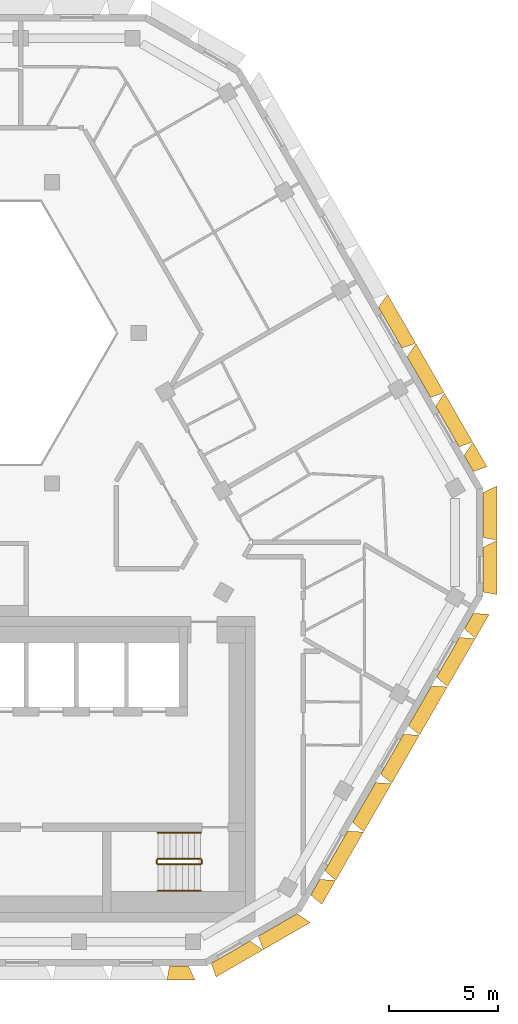
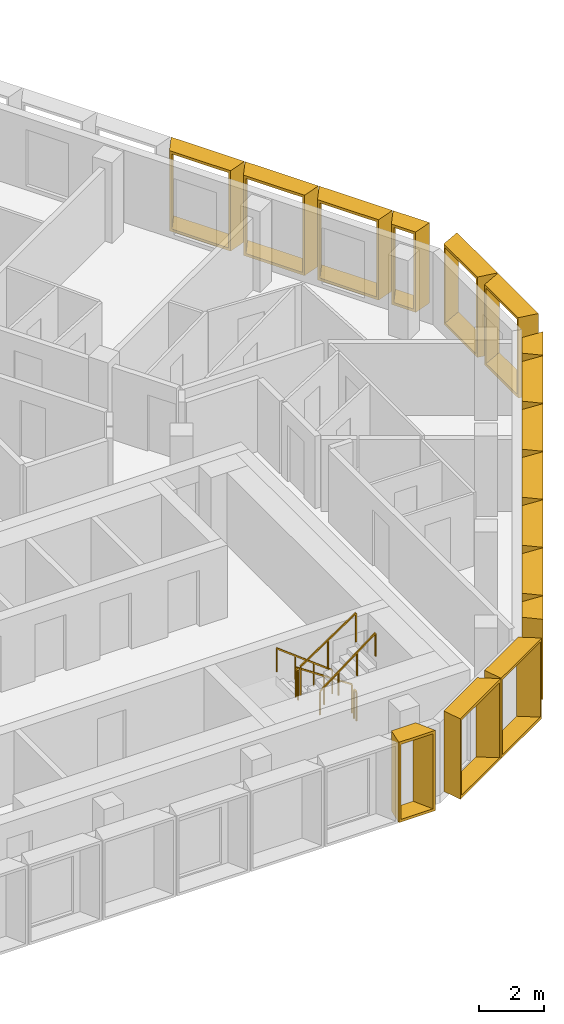
# One storey, part 14 of 15: 16 shading devices, 6 railings.
"""IFC4 building model written with IfcOpenShell, lengths in metres."""

from ifc_helpers import new_model, entity, si_unit, direction, frame, origin, origin_2d, place, context, subcontext, project, spatial, rectangle, extrude, source, transform, mapped, material, type_object, type_shapes, element, save


model = new_model("IFC4")

# Units and contexts
model_context = context("Model", 3, precision=1e-05, world=origin(), true_north=direction((0.0, 1.0)))
body_context = subcontext(model_context, "Body", "Model", "MODEL_VIEW")
ifc_project = project(units=[si_unit("LENGTHUNIT", "METRE"), si_unit("AREAUNIT", "SQUARE_METRE"), si_unit("VOLUMEUNIT", "CUBIC_METRE"), si_unit("PLANEANGLEUNIT", "RADIAN"), si_unit("MASSUNIT", "GRAM", prefix="KILO")], contexts=[model_context])

# Site, building, storey
site_placement = place(None, origin())
site = spatial("IfcSite", under=ifc_project, at=site_placement, CompositionType="ELEMENT")
building_placement = place(site_placement, origin())
building = spatial("IfcBuilding", under=site, at=building_placement, Name="Beryl Residences", CompositionType="ELEMENT")
storey_placement = place(building_placement, frame((0.0, 0.0, 211.800048828125)))
storey = spatial("IfcBuildingStorey", under=building, at=storey_placement, Name="L65", CompositionType="ELEMENT", Elevation=211.800048828125)

# Shading devices
ifc_material_1 = material(Name="Aluminium pale anodised", Category="aluminium")
shading_device_type_1 = type_object("IfcShadingDeviceType", Name="FR128-65C OUTER SKIN frame 650 mm deep, splay 10/26 deg, 1280 x 3000 mm cell", PredefinedType="USERDEFINED", material=ifc_material_1)
cartesian_point_1 = entity("IfcCartesianPoint", [-0.4140625, 0.0])
cartesian_point_2 = entity("IfcCartesianPoint", [-0.332763671875, 0.10009765625])
cartesian_point_3 = entity("IfcCartesianPoint", [-0.528564453125, 0.0])
cartesian_point_4 = entity("IfcCartesianPoint", [-0.447265625, 0.10009765625])
shared_shape_1 = source(origin(), body_context, "Body", "SweptSolid", [
    entity("IfcExtrudedAreaSolidTapered", entity("IfcArbitraryProfileDefWithVoids", "AREA", None, entity("IfcPolyline", [cartesian_point_1, entity("IfcCartesianPoint", [0.4140625, 0.0]), entity("IfcCartesianPoint", [0.4140625, 3.0]), entity("IfcCartesianPoint", [-0.4140625, 3.0]), cartesian_point_1]), [entity("IfcPolyline", [cartesian_point_2, entity("IfcCartesianPoint", [0.324951171875, 0.10009765625]), entity("IfcCartesianPoint", [0.324951171875, 2.89990234375]), entity("IfcCartesianPoint", [-0.332763671875, 2.89990234375]), cartesian_point_2])]), entity("IfcAxis2Placement3D", entity("IfcCartesianPoint", [0.0, 0.0, 0.0]), entity("IfcDirection", [0.0, 1.0, 0.0]), entity("IfcDirection", [-1.0, 0.0, 0.0])), entity("IfcDirection", [0.0, 0.0, 1.0]), 0.64990234375, entity("IfcArbitraryProfileDefWithVoids", "AREA", None, entity("IfcPolyline", [cartesian_point_3, entity("IfcCartesianPoint", [0.73095703125, 0.0]), entity("IfcCartesianPoint", [0.73095703125, 3.0]), entity("IfcCartesianPoint", [-0.528564453125, 3.0]), cartesian_point_3]), [entity("IfcPolyline", [cartesian_point_4, entity("IfcCartesianPoint", [0.64208984375, 0.10009765625]), entity("IfcCartesianPoint", [0.64208984375, 2.89990234375]), entity("IfcCartesianPoint", [-0.447265625, 2.89990234375]), cartesian_point_4])])),
])
type_shapes(shading_device_type_1, [shared_shape_1])
for number, where, z_axis, x_axis, name in (
    (1, (16.052978515625, -17.39599609375, 0.0), (0.0, 0.0, 1.0), (-0.5, -0.866025403784, 0.0), "FR128-65C frame L65 SE 1"),
    (2, (23.091064453125, -5.205078125, 0.0), (0.0, 0.0, 1.0), (-0.5, -0.866025403784, 0.0), "FR128-65C frame L65 SE 7"),
):
    element("IfcShadingDevice", number, at=place(storey_placement, frame(where, z_axis=z_axis, x_axis=x_axis)), inside=storey, type_object=shading_device_type_1, Name=name, ObjectType="OUTER SKIN", PredefinedType="USERDEFINED", context=body_context, shape_type="MappedRepresentation", body=[
        mapped(shared_shape_1, transform((0.0, 0.0, 0.0))),
    ])
ifc_material_2 = material(Name="Aluminium pale anodised", Category="aluminium")
shading_device_type_2 = type_object("IfcShadingDeviceType", Name="FR131-65C OUTER SKIN frame 650 mm deep, splay 10/26 deg, 1310 x 3000 mm cell", PredefinedType="USERDEFINED", material=ifc_material_2)
cartesian_point_5 = entity("IfcCartesianPoint", [-0.428955078125, 0.0])
cartesian_point_6 = entity("IfcCartesianPoint", [-0.34765625, 0.10009765625])
cartesian_point_7 = entity("IfcCartesianPoint", [-0.543701171875, 0.0])
cartesian_point_8 = entity("IfcCartesianPoint", [-0.46240234375, 0.10009765625])
shared_shape_2 = source(origin(), body_context, "Body", "SweptSolid", [
    entity("IfcExtrudedAreaSolidTapered", entity("IfcArbitraryProfileDefWithVoids", "AREA", None, entity("IfcPolyline", [cartesian_point_5, entity("IfcCartesianPoint", [0.428955078125, 0.0]), entity("IfcCartesianPoint", [0.428955078125, 3.0]), entity("IfcCartesianPoint", [-0.428955078125, 3.0]), cartesian_point_5]), [entity("IfcPolyline", [cartesian_point_6, entity("IfcCartesianPoint", [0.340087890625, 0.10009765625]), entity("IfcCartesianPoint", [0.340087890625, 2.89990234375]), entity("IfcCartesianPoint", [-0.34765625, 2.89990234375]), cartesian_point_6])]), entity("IfcAxis2Placement3D", entity("IfcCartesianPoint", [0.0, 0.0, 0.0]), entity("IfcDirection", [0.0, 1.0, 0.0]), entity("IfcDirection", [-1.0, 0.0, 0.0])), entity("IfcDirection", [0.0, 0.0, 1.0]), 0.64990234375, entity("IfcArbitraryProfileDefWithVoids", "AREA", None, entity("IfcPolyline", [cartesian_point_7, entity("IfcCartesianPoint", [0.74609375, 0.0]), entity("IfcCartesianPoint", [0.74609375, 3.0]), entity("IfcCartesianPoint", [-0.543701171875, 3.0]), cartesian_point_7]), [entity("IfcPolyline", [cartesian_point_8, entity("IfcCartesianPoint", [0.656982421875, 0.10009765625]), entity("IfcCartesianPoint", [0.656982421875, 2.89990234375]), entity("IfcCartesianPoint", [-0.46240234375, 2.89990234375]), cartesian_point_8])])),
])
type_shapes(shading_device_type_2, [shared_shape_2])
for number, where, z_axis, x_axis, name in (
    (3, (9.797119140625, -21.0, 0.0), (0.0, 0.0, 1.0), (-1.0, 0.0, 0.0), "FR131-65C frame L65 S 9"),
    (4, (23.083984375, 2.01611328125, 0.0), (0.0, 0.0, 1.0), (0.5, -0.866025403784, 0.0), "FR131-65C frame L65 NE 1"),
):
    element("IfcShadingDevice", number, at=place(storey_placement, frame(where, z_axis=z_axis, x_axis=x_axis)), inside=storey, type_object=shading_device_type_2, Name=name, ObjectType="OUTER SKIN", PredefinedType="USERDEFINED", context=body_context, shape_type="MappedRepresentation", body=[
        mapped(shared_shape_2, transform((0.0, 0.0, 0.0))),
    ])
ifc_material_3 = material(Name="Aluminium pale anodised", Category="aluminium")
shading_device_type_3 = type_object("IfcShadingDeviceType", Name="FR250-65C OUTER SKIN frame 650 mm deep, splay 10/26 deg, 2500 x 3000 mm cell", PredefinedType="USERDEFINED", material=ifc_material_3)
cartesian_point_9 = entity("IfcCartesianPoint", [-1.02392578125, 0.0])
cartesian_point_10 = entity("IfcCartesianPoint", [-0.94287109375, 0.10009765625])
cartesian_point_11 = entity("IfcCartesianPoint", [-1.138671875, 0.0])
cartesian_point_12 = entity("IfcCartesianPoint", [-1.057373046875, 0.10009765625])
shared_shape_3 = source(origin(), body_context, "Body", "SweptSolid", [
    entity("IfcExtrudedAreaSolidTapered", entity("IfcArbitraryProfileDefWithVoids", "AREA", None, entity("IfcPolyline", [cartesian_point_9, entity("IfcCartesianPoint", [1.02392578125, 0.0]), entity("IfcCartesianPoint", [1.02392578125, 3.0]), entity("IfcCartesianPoint", [-1.02392578125, 3.0]), cartesian_point_9]), [entity("IfcPolyline", [cartesian_point_10, entity("IfcCartesianPoint", [0.93505859375, 0.10009765625]), entity("IfcCartesianPoint", [0.93505859375, 2.89990234375]), entity("IfcCartesianPoint", [-0.94287109375, 2.89990234375]), cartesian_point_10])]), entity("IfcAxis2Placement3D", entity("IfcCartesianPoint", [0.0, 0.0, 0.0]), entity("IfcDirection", [0.0, 1.0, 0.0]), entity("IfcDirection", [-1.0, 0.0, 0.0])), entity("IfcDirection", [0.0, 0.0, 1.0]), 0.64990234375, entity("IfcArbitraryProfileDefWithVoids", "AREA", None, entity("IfcPolyline", [cartesian_point_11, entity("IfcCartesianPoint", [1.341064453125, 0.0]), entity("IfcCartesianPoint", [1.341064453125, 3.0]), entity("IfcCartesianPoint", [-1.138671875, 3.0]), cartesian_point_11]), [entity("IfcPolyline", [cartesian_point_12, entity("IfcCartesianPoint", [1.251953125, 0.10009765625]), entity("IfcCartesianPoint", [1.251953125, 2.89990234375]), entity("IfcCartesianPoint", [-1.057373046875, 2.89990234375]), cartesian_point_12])])),
])
type_shapes(shading_device_type_3, [shared_shape_3])
for number, where, z_axis, x_axis, name in (
    (5, (12.16796875, -20.375, 0.0), (0.0, 0.0, 1.0), (-0.866025403784, -0.5, 0.0), "FR250-65C frame L65 S-SE 1"),
    (6, (14.33203125, -19.125, 0.0), (0.0, 0.0, 1.0), (-0.866025403784, -0.5, 0.0), "FR250-65C frame L65 S-SE 2"),
    (7, (23.72900390625, -2.85009765625, 0.0), (0.0, 0.0, 1.0), (0.0, -1.0, 0.0), "FR250-65C frame L65 SE-NE 1"),
    (8, (23.72900390625, -0.35009765625, 0.0), (0.0, 0.0, 1.0), (0.0, -1.0, 0.0), "FR250-65C frame L65 SE-NE 2"),
):
    element("IfcShadingDevice", number, at=place(storey_placement, frame(where, z_axis=z_axis, x_axis=x_axis)), inside=storey, type_object=shading_device_type_3, Name=name, ObjectType="OUTER SKIN", PredefinedType="USERDEFINED", context=body_context, shape_type="MappedRepresentation", body=[
        mapped(shared_shape_3, transform((0.0, 0.0, 0.0))),
    ])
ifc_material_4 = material(Name="Aluminium pale anodised", Category="aluminium")
shading_device_type_4 = type_object("IfcShadingDeviceType", Name="FR256-65C OUTER SKIN frame 650 mm deep, splay 10/26 deg, 2560 x 3000 mm cell", PredefinedType="USERDEFINED", material=ifc_material_4)
cartesian_point_13 = entity("IfcCartesianPoint", [-1.053955078125, 0.0])
cartesian_point_14 = entity("IfcCartesianPoint", [-0.97265625, 0.10009765625])
cartesian_point_15 = entity("IfcCartesianPoint", [-1.168701171875, 0.0])
cartesian_point_16 = entity("IfcCartesianPoint", [-1.08740234375, 0.10009765625])
shared_shape_4 = source(origin(), body_context, "Body", "SweptSolid", [
    entity("IfcExtrudedAreaSolidTapered", entity("IfcArbitraryProfileDefWithVoids", "AREA", None, entity("IfcPolyline", [cartesian_point_13, entity("IfcCartesianPoint", [1.053955078125, 0.0]), entity("IfcCartesianPoint", [1.053955078125, 3.0]), entity("IfcCartesianPoint", [-1.053955078125, 3.0]), cartesian_point_13]), [entity("IfcPolyline", [cartesian_point_14, entity("IfcCartesianPoint", [0.965087890625, 0.10009765625]), entity("IfcCartesianPoint", [0.965087890625, 2.89990234375]), entity("IfcCartesianPoint", [-0.97265625, 2.89990234375]), cartesian_point_14])]), entity("IfcAxis2Placement3D", entity("IfcCartesianPoint", [0.0, 0.0, 0.0]), entity("IfcDirection", [0.0, 1.0, 0.0]), entity("IfcDirection", [-1.0, 0.0, 0.0])), entity("IfcDirection", [0.0, 0.0, 1.0]), 0.64990234375, entity("IfcArbitraryProfileDefWithVoids", "AREA", None, entity("IfcPolyline", [cartesian_point_15, entity("IfcCartesianPoint", [1.37109375, 0.0]), entity("IfcCartesianPoint", [1.37109375, 3.0]), entity("IfcCartesianPoint", [-1.168701171875, 3.0]), cartesian_point_15]), [entity("IfcPolyline", [cartesian_point_16, entity("IfcCartesianPoint", [1.281982421875, 0.10009765625]), entity("IfcCartesianPoint", [1.281982421875, 2.89990234375]), entity("IfcCartesianPoint", [-1.08740234375, 2.89990234375]), cartesian_point_16])])),
])
type_shapes(shading_device_type_4, [shared_shape_4])
for number, where, z_axis, x_axis, name in (
    (9, (17.011962890625, -15.73388671875, 0.0), (0.0, 0.0, 1.0), (-0.5, -0.866025403784, 0.0), "FR256-65C frame L65 SE 2"),
    (10, (18.2919921875, -13.51708984375, 0.0), (0.0, 0.0, 1.0), (-0.5, -0.866025403784, 0.0), "FR256-65C frame L65 SE 3"),
    (11, (19.572021484375, -11.300048828125, 0.0), (0.0, 0.0, 1.0), (-0.5, -0.866025403784, 0.0), "FR256-65C frame L65 SE 4"),
    (12, (20.85107421875, -9.083984375, 0.0), (0.0, 0.0, 1.0), (-0.5, -0.866025403784, 0.0), "FR256-65C frame L65 SE 5"),
    (13, (22.131103515625, -6.866943359375, 0.0), (0.0, 0.0, 1.0), (-0.5, -0.866025403784, 0.0), "FR256-65C frame L65 SE 6"),
):
    element("IfcShadingDevice", number, at=place(storey_placement, frame(where, z_axis=z_axis, x_axis=x_axis)), inside=storey, type_object=shading_device_type_4, Name=name, ObjectType="OUTER SKIN", PredefinedType="USERDEFINED", context=body_context, shape_type="MappedRepresentation", body=[
        mapped(shared_shape_4, transform((0.0, 0.0, 0.0))),
    ])
ifc_material_5 = material(Name="Aluminium pale anodised", Category="aluminium")
shading_device_type_5 = type_object("IfcShadingDeviceType", Name="FR261-65C OUTER SKIN frame 650 mm deep, splay 10/26 deg, 2610 x 3000 mm cell", PredefinedType="USERDEFINED", material=ifc_material_5)
cartesian_point_17 = entity("IfcCartesianPoint", [-1.0791015625, 0.0])
cartesian_point_18 = entity("IfcCartesianPoint", [-0.997802734375, 0.10009765625])
cartesian_point_19 = entity("IfcCartesianPoint", [-1.193603515625, 0.0])
cartesian_point_20 = entity("IfcCartesianPoint", [-1.1123046875, 0.10009765625])
shared_shape_5 = source(origin(), body_context, "Body", "SweptSolid", [
    entity("IfcExtrudedAreaSolidTapered", entity("IfcArbitraryProfileDefWithVoids", "AREA", None, entity("IfcPolyline", [cartesian_point_17, entity("IfcCartesianPoint", [1.0791015625, 0.0]), entity("IfcCartesianPoint", [1.0791015625, 3.0]), entity("IfcCartesianPoint", [-1.0791015625, 3.0]), cartesian_point_17]), [entity("IfcPolyline", [cartesian_point_18, entity("IfcCartesianPoint", [0.989990234375, 0.10009765625]), entity("IfcCartesianPoint", [0.989990234375, 2.89990234375]), entity("IfcCartesianPoint", [-0.997802734375, 2.89990234375]), cartesian_point_18])]), entity("IfcAxis2Placement3D", entity("IfcCartesianPoint", [0.0, 0.0, 0.0]), entity("IfcDirection", [0.0, 1.0, 0.0]), entity("IfcDirection", [-1.0, 0.0, 0.0])), entity("IfcDirection", [0.0, 0.0, 1.0]), 0.64990234375, entity("IfcArbitraryProfileDefWithVoids", "AREA", None, entity("IfcPolyline", [cartesian_point_19, entity("IfcCartesianPoint", [1.39599609375, 0.0]), entity("IfcCartesianPoint", [1.39599609375, 3.0]), entity("IfcCartesianPoint", [-1.193603515625, 3.0]), cartesian_point_19]), [entity("IfcPolyline", [cartesian_point_20, entity("IfcCartesianPoint", [1.30712890625, 0.10009765625]), entity("IfcCartesianPoint", [1.30712890625, 2.89990234375]), entity("IfcCartesianPoint", [-1.1123046875, 2.89990234375]), cartesian_point_20])])),
])
type_shapes(shading_device_type_5, [shared_shape_5])
for number, where, z_axis, x_axis, name in (
    (14, (22.10498046875, 3.7119140625, 0.0), (0.0, 0.0, 1.0), (0.5, -0.866025403784, 0.0), "FR261-65C frame L65 NE 2"),
    (15, (20.798095703125, 5.97509765625, 0.0), (0.0, 0.0, 1.0), (0.5, -0.866025403784, 0.0), "FR261-65C frame L65 NE 3"),
    (16, (19.491943359375, 8.237060546875, 0.0), (0.0, 0.0, 1.0), (0.5, -0.866025403784, 0.0), "FR261-65C frame L65 NE 4"),
):
    element("IfcShadingDevice", number, at=place(storey_placement, frame(where, z_axis=z_axis, x_axis=x_axis)), inside=storey, type_object=shading_device_type_5, Name=name, ObjectType="OUTER SKIN", PredefinedType="USERDEFINED", context=body_context, shape_type="MappedRepresentation", body=[
        mapped(shared_shape_5, transform((0.0, 0.0, 0.0))),
    ])

# Railings
ifc_material_6 = material(Name="Stainless steel balustrade with glass infill", Category="steel")
railing_type_1 = type_object("IfcRailingType", Name="SG1 stair guard 1100 mm", PredefinedType="GUARDRAIL", material=ifc_material_6)
railing_1_placement = place(storey_placement, frame((10.800048828125, -16.10009765625, 0.1875)))
element("IfcRailing", 17, at=railing_1_placement, inside=storey, type_object=railing_type_1, Name="L65 ST-3 stair guard 1", PredefinedType="GUARDRAIL", context=body_context, shape_type="SweptSolid", body=[
    extrude(rectangle(XDim=0.048095703125, YDim=0.048095703125, at=origin_2d()), frame((0.0, 0.0, 1.076171875), z_axis=(-0.830902050051, 0.0, 0.556418712142), x_axis=(0.0, -1.0, 0.0)), (0.0, 0.0, 1.0), 2.35888671875),
    extrude(rectangle(XDim=0.0419921875, YDim=0.0419921875, at=origin_2d()), origin(), (0.0, 0.0, 1.0), 1.052001953125),
    extrude(rectangle(XDim=0.0419921875, YDim=0.0419921875, at=origin_2d()), frame((-0.97998046875, 0.0, 0.65625)), (0.0, 0.0, 1.0), 1.052001953125),
    extrude(rectangle(XDim=0.0419921875, YDim=0.0419921875, at=origin_2d()), frame((-1.9599609375, 0.0, 1.3125)), (0.0, 0.0, 1.0), 1.052001953125),
])
railing_2_placement = place(storey_placement, frame((8.7900390625, -16.14990234375, 1.5)))
element("IfcRailing", 18, at=railing_2_placement, inside=storey, type_object=railing_type_1, Name="L65 ST-3 stair guard 2", PredefinedType="GUARDRAIL", context=body_context, shape_type="SweptSolid", body=[
    extrude(rectangle(XDim=0.048095703125, YDim=0.048095703125, at=origin_2d()), frame((0.0, 0.0, 1.076171875), z_axis=(0.0, -1.0, 0.0), x_axis=(1.0, 0.0, 0.0)), (0.0, 0.0, 1.0), 0.150146484375),
    extrude(rectangle(XDim=0.0419921875, YDim=0.0419921875, at=origin_2d()), origin(), (0.0, 0.0, 1.0), 1.052001953125),
    extrude(rectangle(XDim=0.0419921875, YDim=0.0419921875, at=origin_2d()), frame((0.0, -0.150146484375, 0.0)), (0.0, 0.0, 1.0), 1.052001953125),
])
railing_3_placement = place(storey_placement, frame((8.840087890625, -16.35009765625, 1.6875)))
element("IfcRailing", 19, at=railing_3_placement, inside=storey, type_object=railing_type_1, Name="L65 ST-3 stair guard 3", PredefinedType="GUARDRAIL", context=body_context, shape_type="SweptSolid", body=[
    extrude(rectangle(XDim=0.048095703125, YDim=0.048095703125, at=origin_2d()), frame((0.0, 0.0, 1.076171875), z_axis=(0.830902050051, 0.0, 0.556418712142), x_axis=(0.0, 1.0, 0.0)), (0.0, 0.0, 1.0), 2.35888671875),
    extrude(rectangle(XDim=0.0419921875, YDim=0.0419921875, at=origin_2d()), origin(), (0.0, 0.0, 1.0), 1.052001953125),
    extrude(rectangle(XDim=0.0419921875, YDim=0.0419921875, at=origin_2d()), frame((0.97998046875, 0.0, 0.65625)), (0.0, 0.0, 1.0), 1.052001953125),
    extrude(rectangle(XDim=0.0419921875, YDim=0.0419921875, at=origin_2d()), frame((1.9599609375, 0.0, 1.3125)), (0.0, 0.0, 1.0), 1.052001953125),
])
railing_4_placement = place(storey_placement, frame((10.85009765625, -16.14990234375, 0.0)))
element("IfcRailing", 20, at=railing_4_placement, inside=storey, type_object=railing_type_1, Name="L65 ST-3 stair guard 4", PredefinedType="GUARDRAIL", context=body_context, shape_type="SweptSolid", body=[
    extrude(rectangle(XDim=0.048095703125, YDim=0.048095703125, at=origin_2d()), frame((0.0, 0.0, 1.076171875), z_axis=(0.0, -1.0, 0.0), x_axis=(1.0, 0.0, 0.0)), (0.0, 0.0, 1.0), 0.150146484375),
    extrude(rectangle(XDim=0.0419921875, YDim=0.0419921875, at=origin_2d()), origin(), (0.0, 0.0, 1.0), 1.052001953125),
    extrude(rectangle(XDim=0.0419921875, YDim=0.0419921875, at=origin_2d()), frame((0.0, -0.150146484375, 0.0)), (0.0, 0.0, 1.0), 1.052001953125),
])
ifc_material_7 = material(Name="Stainless steel handrail", Category="steel")
railing_type_2 = type_object("IfcRailingType", Name="SRL1 stair handrail 900 mm", PredefinedType="HANDRAIL", material=ifc_material_7)
railing_5_placement = place(storey_placement, frame((10.800048828125, -14.89990234375, 0.1875)))
element("IfcRailing", 21, at=railing_5_placement, inside=storey, type_object=railing_type_2, Name="L65 ST-3 stair handrail 1", PredefinedType="HANDRAIL", context=body_context, shape_type="SweptSolid", body=[
    extrude(rectangle(XDim=0.048095703125, YDim=0.048095703125, at=origin_2d()), frame((0.0, 0.0, 0.8759765625), z_axis=(-0.794121922505, 0.0, 0.607758481798), x_axis=(0.0, -1.0, 0.0)), (0.0, 0.0, 1.0), 2.468017578125),
    extrude(rectangle(XDim=0.0419921875, YDim=0.0419921875, at=origin_2d()), origin(), (0.0, 0.0, 1.0), 0.851806640625),
    extrude(rectangle(XDim=0.0419921875, YDim=0.0419921875, at=origin_2d()), frame((-0.6533203125, 0.0, 0.5)), (0.0, 0.0, 1.0), 0.851806640625),
    extrude(rectangle(XDim=0.0419921875, YDim=0.0419921875, at=origin_2d()), frame((-1.306640625, 0.0, 1.0)), (0.0, 0.0, 1.0), 0.851806640625),
    extrude(rectangle(XDim=0.0419921875, YDim=0.0419921875, at=origin_2d()), frame((-1.9599609375, 0.0, 1.5)), (0.0, 0.0, 1.0), 0.851806640625),
])
railing_6_placement = place(storey_placement, frame((8.840087890625, -17.550048828125, 1.6875)))
element("IfcRailing", 22, at=railing_6_placement, inside=storey, type_object=railing_type_2, Name="L65 ST-3 stair handrail 2", PredefinedType="HANDRAIL", context=body_context, shape_type="SweptSolid", body=[
    extrude(rectangle(XDim=0.048095703125, YDim=0.048095703125, at=origin_2d()), frame((0.0, 0.0, 0.8759765625), z_axis=(0.794121922505, 0.0, 0.607758481798), x_axis=(0.0, 1.0, 0.0)), (0.0, 0.0, 1.0), 2.468017578125),
    extrude(rectangle(XDim=0.0419921875, YDim=0.0419921875, at=origin_2d()), origin(), (0.0, 0.0, 1.0), 0.851806640625),
    extrude(rectangle(XDim=0.0419921875, YDim=0.0419921875, at=origin_2d()), frame((0.6533203125, 0.0, 0.5)), (0.0, 0.0, 1.0), 0.851806640625),
    extrude(rectangle(XDim=0.0419921875, YDim=0.0419921875, at=origin_2d()), frame((1.306640625, 0.0, 1.0)), (0.0, 0.0, 1.0), 0.851806640625),
    extrude(rectangle(XDim=0.0419921875, YDim=0.0419921875, at=origin_2d()), frame((1.9599609375, 0.0, 1.5)), (0.0, 0.0, 1.0), 0.851806640625),
])

save(model, "model.ifc")
